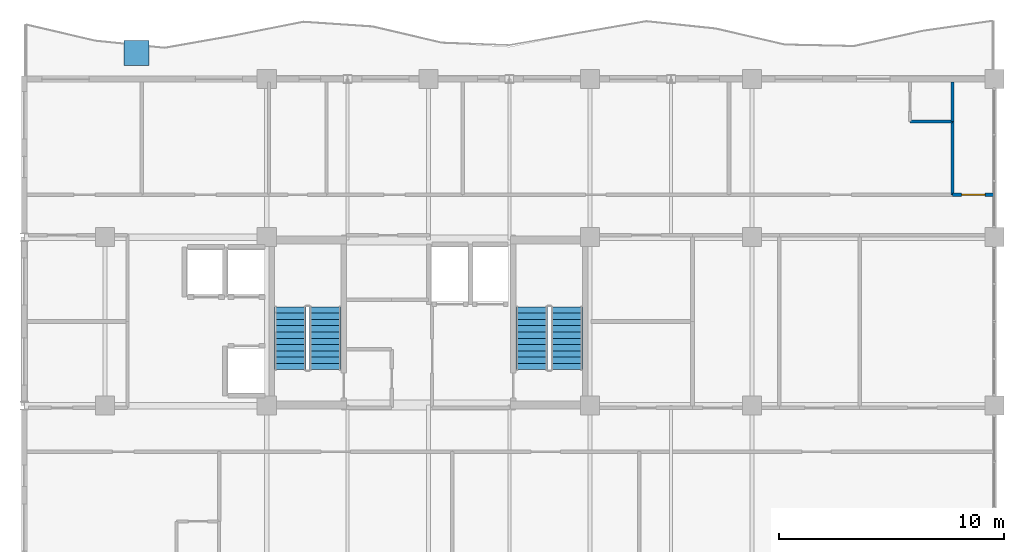
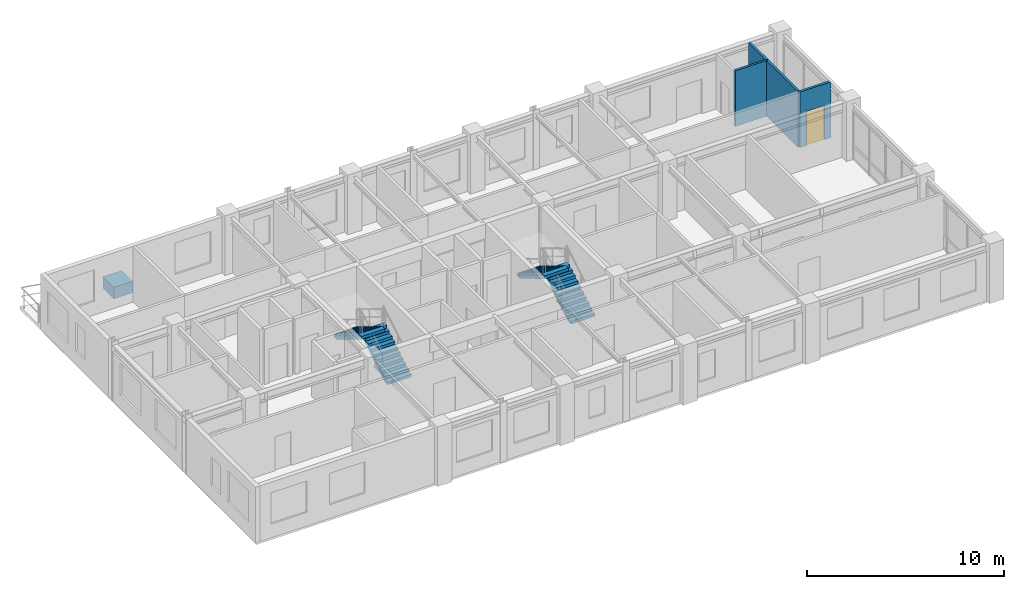
# One storey, part 9 of 11: 4 stair flights, 4 walls, 1 discrete accessory, 1 door, 1 opening, 2 elements without a shape of their own.
"""IFC4 building model written with IfcOpenShell, lengths in metres."""

from ifc_helpers import new_model, si_unit, direction, frame, frame_2d, origin, origin_2d, place, context, subcontext, project, spatial, polyline, rectangle, outline, extrude, source, transform, mapped, material, layer, layer_set, type_object, element, fill, aggregate, save


model = new_model("IFC4")

# Units and contexts
model_context = context("Model", 3, precision=1e-05, world=origin(), true_north=direction((0.0, 1.0)))
body_context = subcontext(model_context, "Body", "Model", "MODEL_VIEW")
ifc_project = project(units=[si_unit("LENGTHUNIT", "METRE"), si_unit("AREAUNIT", "SQUARE_METRE"), si_unit("VOLUMEUNIT", "CUBIC_METRE"), si_unit("PLANEANGLEUNIT", "RADIAN"), si_unit("MASSUNIT", "GRAM", prefix="KILO")], contexts=[model_context])

# Site, building, storey
site_placement = place(None, origin())
site = spatial("IfcSite", under=ifc_project, at=site_placement, CompositionType="ELEMENT")
building_placement = place(site_placement, origin())
building = spatial("IfcBuilding", under=site, at=building_placement, Name="Kaliganga Portal Commons", CompositionType="ELEMENT")
storey_placement = place(building_placement, frame((0.0, 0.0, 253.60009765625)))
storey = spatial("IfcBuildingStorey", under=building, at=storey_placement, Name="L65", CompositionType="ELEMENT", Elevation=253.60009765625)

# Wall, opening, door
ifc_material_1 = material(Name="Fire-Rated Gypsum Board on Steel Stud", Category="steel")
ifc_layer_1 = layer(ifc_material_1, 0.14990234375)
ifc_layer_set_1 = layer_set([ifc_layer_1], Name="Fire-Rated Gypsum Board on Steel Stud")
wall_type_1 = type_object("IfcWallType", Name="WL-PART-CORR-150", PredefinedType="PARTITIONING", material=ifc_layer_set_1)
wall_1_placement = place(storey_placement, frame((44.93994140625, 38.0400390625, 0.0), z_axis=(0.0, 0.0, 1.0), x_axis=(1.0, 0.0, 0.0)))
wall_1 = element("IfcWall", 1, at=wall_1_placement, inside=storey, type_object=wall_type_1, Name="Interior Partition L65-038", PredefinedType="PARTITIONING", context=body_context, shape_type="SweptSolid", body=[
    extrude(rectangle(XDim=1.840087890625, YDim=0.14990234375, at=frame_2d((0.919921875, 0.0))), origin(), (0.0, 0.0, 1.0), 3.454833984375),
])
opening_placement = place(wall_1_placement, frame((0.39501953125, 0.0, 0.0)))
opening = element("IfcOpeningElement", 2, at=opening_placement, cuts=wall_1, Name="Opening UD-02", PredefinedType="OPENING", context=body_context, shape_type="SweptSolid", body=[
    extrude(rectangle(XDim=1.050048828125, YDim=2.1201171875, at=frame_2d((0.52490234375, 1.06005859375))), frame((0.0, 0.0849609375, 0.0), z_axis=(0.0, -1.0, 0.0), x_axis=(1.0, 0.0, 0.0)), (0.0, 0.0, 1.0), 0.169921875),
])
ifc_material_2 = material(Name="Accessible Wide-Leaf Acoustic Fire Door", Category="wood")
door_type = type_object("IfcDoorType", Name="DR-ACC-1050", OperationType="NOTDEFINED", PredefinedType="DOOR", material=ifc_material_2)
door_placement = place(opening_placement, origin())
door = element("IfcDoor", 3, at=door_placement, inside=storey, type_object=door_type, Name="Interior Door L65-AN07", OperationType="SINGLE_SWING_LEFT", OverallHeight=2.1201171875, OverallWidth=1.050048828125, PredefinedType="DOOR", context=body_context, shape_type="SweptSolid", body=[
    extrude(rectangle(XDim=1.050048828125, YDim=2.1201171875, at=frame_2d((0.52490234375, 1.06005859375))), frame((0.0, 0.02490234375, 0.0), z_axis=(0.0, -1.0, 0.0), x_axis=(1.0, 0.0, 0.0)), (0.0, 0.0, 1.0), 0.050048828125),
])
fill(opening, door)

# Walls
ifc_material_3 = material(Name="Cement-Board Wet-Room Partition", Category="gypsum")
ifc_layer_2 = layer(ifc_material_3, 0.135009765625)
ifc_layer_set_2 = layer_set([ifc_layer_2], Name="Cement-Board Wet-Room Partition")
wall_type_2 = type_object("IfcWallType", Name="WL-PART-WET-135", PredefinedType="PARTITIONING", material=ifc_layer_set_2)
wall_2_placement = place(storey_placement, frame((44.93994140625, 41.300048828125, 0.0), z_axis=(0.0, 0.0, 1.0), x_axis=(0.0, 1.0, 0.0)))
element("IfcWall", 4, at=wall_2_placement, inside=storey, type_object=wall_type_2, Name="Interior Partition L65-002", PredefinedType="PARTITIONING", context=body_context, shape_type="SweptSolid", body=[
    extrude(rectangle(XDim=1.76806640625, YDim=0.135009765625, at=frame_2d((0.884033203125, 0.0))), origin(), (0.0, 0.0, 1.0), 3.454833984375),
])
wall_3_placement = place(storey_placement, frame((43.0400390625, 41.300048828125, 0.0), z_axis=(0.0, 0.0, 1.0), x_axis=(1.0, 0.0, 0.0)))
element("IfcWall", 5, at=wall_3_placement, inside=storey, type_object=wall_type_2, Name="Interior Partition L65-004", PredefinedType="PARTITIONING", context=body_context, shape_type="SweptSolid", body=[
    extrude(rectangle(XDim=1.89990234375, YDim=0.135009765625, at=frame_2d((0.949951171875, 0.0))), origin(), (0.0, 0.0, 1.0), 3.454833984375),
])
wall_4_placement = place(storey_placement, frame((44.93994140625, 38.0400390625, 0.0), z_axis=(0.0, 0.0, 1.0), x_axis=(0.0, 1.0, 0.0)))
element("IfcWall", 6, at=wall_4_placement, inside=storey, type_object=wall_type_2, Name="Interior Partition L65-055", PredefinedType="PARTITIONING", context=body_context, shape_type="SweptSolid", body=[
    extrude(rectangle(XDim=3.260009765625, YDim=0.135009765625, at=frame_2d((1.6298828125, 0.0))), origin(), (0.0, 0.0, 1.0), 3.454833984375),
])

# Stair, stair flights
ifc_material_4 = material(Name="Concrete C40/50", Category="concrete")
stair_type = type_object("IfcStairType", Name="ST-CORE-DOGLEG", PredefinedType="HALF_TURN_STAIR", material=ifc_material_4)
stair_1_placement = place(storey_placement, origin())
stair_1 = element("IfcStair", 7, at=stair_1_placement, inside=storey, type_object=stair_type, Name="L65 Protected Exit Stair ST-A1", PredefinedType="HALF_TURN_STAIR")
stair_flight_type = type_object("IfcStairFlightType", Name="STF-RC-1400", PredefinedType="STRAIGHT", material=ifc_material_4)
stair_flight_1_placement = place(storey_placement, frame((17.0, 30.25, 0.0), z_axis=(0.0, 0.0, 1.0), x_axis=(0.0, 1.0, 0.0)))
stair_flight_1 = element("IfcStairFlight", 8, at=stair_flight_1_placement, type_object=stair_flight_type, Name="ST-A1 flight 1", NumberOfRisers=11, NumberOfTreads=10, PredefinedType="STRAIGHT", RiserHeight=0.168181818, TreadLength=0.28, context=body_context, shape_type="SweptSolid", body=[
    extrude(outline(polyline([(0.0, 0.0), (0.0, 0.168212890625), (0.280029296875, 0.168212890625), (0.280029296875, 0.33642578125), (0.56005859375, 0.33642578125), (0.56005859375, 0.504638671875), (0.840087890625, 0.504638671875), (0.840087890625, 0.672607421875), (1.1201171875, 0.672607421875), (1.1201171875, 0.8408203125), (1.39990234375, 0.8408203125), (1.39990234375, 1.009033203125), (1.679931640625, 1.009033203125), (1.679931640625, 1.17724609375), (1.9599609375, 1.17724609375), (1.9599609375, 1.345458984375), (2.239990234375, 1.345458984375), (2.239990234375, 1.513671875), (2.52001953125, 1.513671875), (2.52001953125, 1.681884765625), (2.800048828125, 1.681884765625), (2.800048828125, 1.85009765625), (2.800048828125, 1.5068359375), (0.291015625, 0.0), (0.0, 0.0)])), frame((0.0, 0.699951171875, 0.0), z_axis=(0.0, -1.0, 0.0), x_axis=(1.0, 0.0, 0.0)), (0.0, 0.0, 1.0), 1.39990234375),
])
stair_flight_2_placement = place(storey_placement, frame((15.449951171875, 33.050048828125, 1.849853515625), z_axis=(0.0, 0.0, 1.0), x_axis=(0.0, -1.0, 0.0)))
stair_flight_2 = element("IfcStairFlight", 9, at=stair_flight_2_placement, type_object=stair_flight_type, Name="ST-A1 flight 2", NumberOfRisers=11, NumberOfTreads=10, PredefinedType="STRAIGHT", RiserHeight=0.168181818, TreadLength=0.28, context=body_context, shape_type="SweptSolid", body=[
    extrude(outline(polyline([(0.0, 0.0), (0.0, 0.168212890625), (0.280029296875, 0.168212890625), (0.280029296875, 0.33642578125), (0.56005859375, 0.33642578125), (0.56005859375, 0.504638671875), (0.840087890625, 0.504638671875), (0.840087890625, 0.672607421875), (1.1201171875, 0.672607421875), (1.1201171875, 0.8408203125), (1.39990234375, 0.8408203125), (1.39990234375, 1.009033203125), (1.679931640625, 1.009033203125), (1.679931640625, 1.17724609375), (1.9599609375, 1.17724609375), (1.9599609375, 1.345458984375), (2.239990234375, 1.345458984375), (2.239990234375, 1.513671875), (2.52001953125, 1.513671875), (2.52001953125, 1.681884765625), (2.800048828125, 1.681884765625), (2.800048828125, 1.85009765625), (2.800048828125, 1.5068359375), (0.291015625, 0.0), (0.0, 0.0)])), frame((0.0, 0.699951171875, 0.0), z_axis=(0.0, -1.0, 0.0), x_axis=(1.0, 0.0, 0.0)), (0.0, 0.0, 1.0), 1.39990234375),
])
aggregate(stair_1, [stair_flight_1, stair_flight_2])

stair_2_placement = place(storey_placement, origin())
stair_2 = element("IfcStair", 10, at=stair_2_placement, inside=storey, type_object=stair_type, Name="L65 Protected Exit Stair ST-A2", PredefinedType="HALF_TURN_STAIR")
stair_flight_3_placement = place(storey_placement, frame((27.75, 30.25, 0.0), z_axis=(0.0, 0.0, 1.0), x_axis=(0.0, 1.0, 0.0)))
stair_flight_3 = element("IfcStairFlight", 11, at=stair_flight_3_placement, type_object=stair_flight_type, Name="ST-A2 flight 1", NumberOfRisers=11, NumberOfTreads=10, PredefinedType="STRAIGHT", RiserHeight=0.168181818, TreadLength=0.28, context=body_context, shape_type="SweptSolid", body=[
    extrude(outline(polyline([(0.0, 0.0), (0.0, 0.168212890625), (0.280029296875, 0.168212890625), (0.280029296875, 0.33642578125), (0.56005859375, 0.33642578125), (0.56005859375, 0.504638671875), (0.840087890625, 0.504638671875), (0.840087890625, 0.672607421875), (1.1201171875, 0.672607421875), (1.1201171875, 0.8408203125), (1.39990234375, 0.8408203125), (1.39990234375, 1.009033203125), (1.679931640625, 1.009033203125), (1.679931640625, 1.17724609375), (1.9599609375, 1.17724609375), (1.9599609375, 1.345458984375), (2.239990234375, 1.345458984375), (2.239990234375, 1.513671875), (2.52001953125, 1.513671875), (2.52001953125, 1.681884765625), (2.800048828125, 1.681884765625), (2.800048828125, 1.85009765625), (2.800048828125, 1.5068359375), (0.291015625, 0.0), (0.0, 0.0)])), frame((0.0, 0.699951171875, 0.0), z_axis=(0.0, -1.0, 0.0), x_axis=(1.0, 0.0, 0.0)), (0.0, 0.0, 1.0), 1.39990234375),
])
stair_flight_4_placement = place(storey_placement, frame((26.199951171875, 33.050048828125, 1.849853515625), z_axis=(0.0, 0.0, 1.0), x_axis=(0.0, -1.0, 0.0)))
stair_flight_4 = element("IfcStairFlight", 12, at=stair_flight_4_placement, type_object=stair_flight_type, Name="ST-A2 flight 2", NumberOfRisers=11, NumberOfTreads=10, PredefinedType="STRAIGHT", RiserHeight=0.168181818, TreadLength=0.28, context=body_context, shape_type="SweptSolid", body=[
    extrude(outline(polyline([(0.0, 0.0), (0.0, 0.168212890625), (0.280029296875, 0.168212890625), (0.280029296875, 0.33642578125), (0.56005859375, 0.33642578125), (0.56005859375, 0.504638671875), (0.840087890625, 0.504638671875), (0.840087890625, 0.672607421875), (1.1201171875, 0.672607421875), (1.1201171875, 0.8408203125), (1.39990234375, 0.8408203125), (1.39990234375, 1.009033203125), (1.679931640625, 1.009033203125), (1.679931640625, 1.17724609375), (1.9599609375, 1.17724609375), (1.9599609375, 1.345458984375), (2.239990234375, 1.345458984375), (2.239990234375, 1.513671875), (2.52001953125, 1.513671875), (2.52001953125, 1.681884765625), (2.800048828125, 1.681884765625), (2.800048828125, 1.85009765625), (2.800048828125, 1.5068359375), (0.291015625, 0.0), (0.0, 0.0)])), frame((0.0, 0.699951171875, 0.0), z_axis=(0.0, -1.0, 0.0), x_axis=(1.0, 0.0, 0.0)), (0.0, 0.0, 1.0), 1.39990234375),
])
aggregate(stair_2, [stair_flight_3, stair_flight_4])

# Discrete accessory
ifc_material_5 = material(Name="Precast concrete C40/50", Category="concrete")
discrete_accessory_type = type_object("IfcDiscreteAccessoryType", Name="DAC-PLANTER-RC", PredefinedType="USERDEFINED", material=ifc_material_5)
shared_shape = source(origin(), body_context, "Body", "SweptSolid", [
    extrude(rectangle(XDim=1.10009765625, YDim=1.10009765625, at=origin_2d()), origin(), (0.0, 0.0, 1.0), 0.719970703125),
])
discrete_accessory_placement = place(storey_placement, frame((8.60009765625, 44.35009765625, 0.0), z_axis=(0.0, 0.0, 1.0), x_axis=(1.0, 0.0, 0.0)))
element("IfcDiscreteAccessory", 13, at=discrete_accessory_placement, inside=storey, type_object=discrete_accessory_type, Name="Structural Tree Planter L65 balc_north", ObjectType="PLANTER", PredefinedType="USERDEFINED", context=body_context, shape_type="MappedRepresentation", body=[
    mapped(shared_shape, transform((0.0, 0.0, 0.0), x_axis=(1.0, 0.0, 0.0), y_axis=(0.0, 1.0, 0.0), z_axis=(0.0, 0.0, 1.0), scale=1.0)),
])

save(model, "model.ifc")
